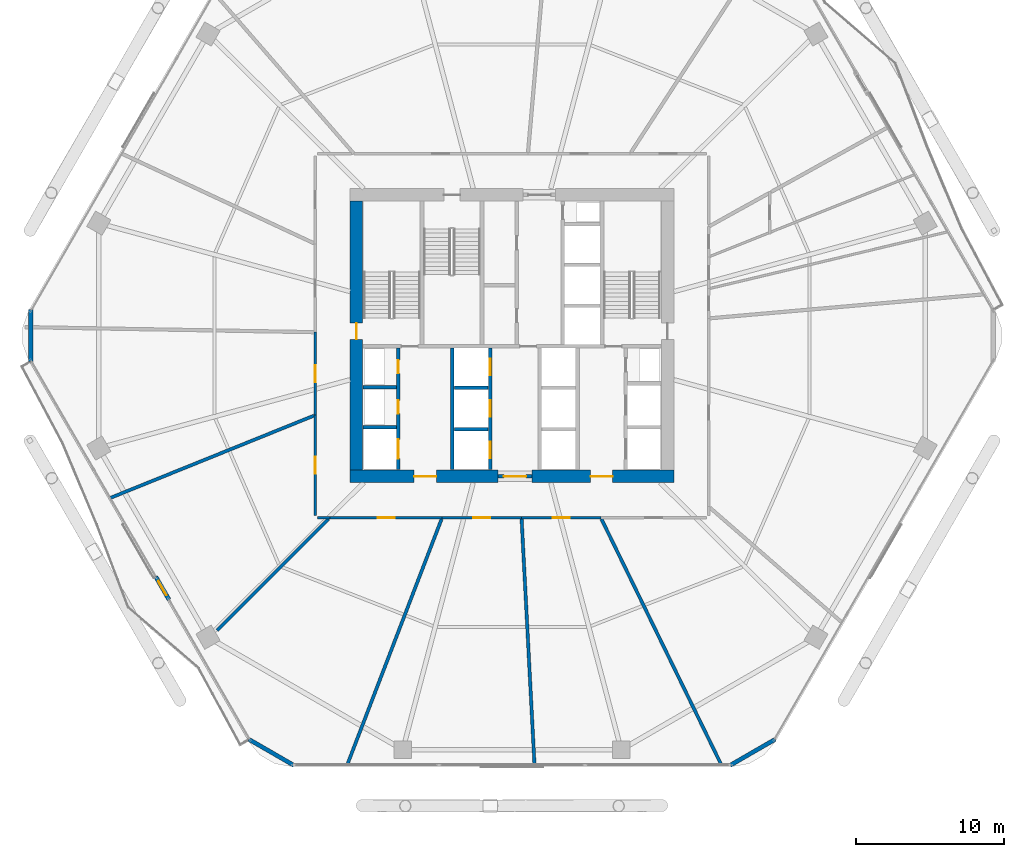
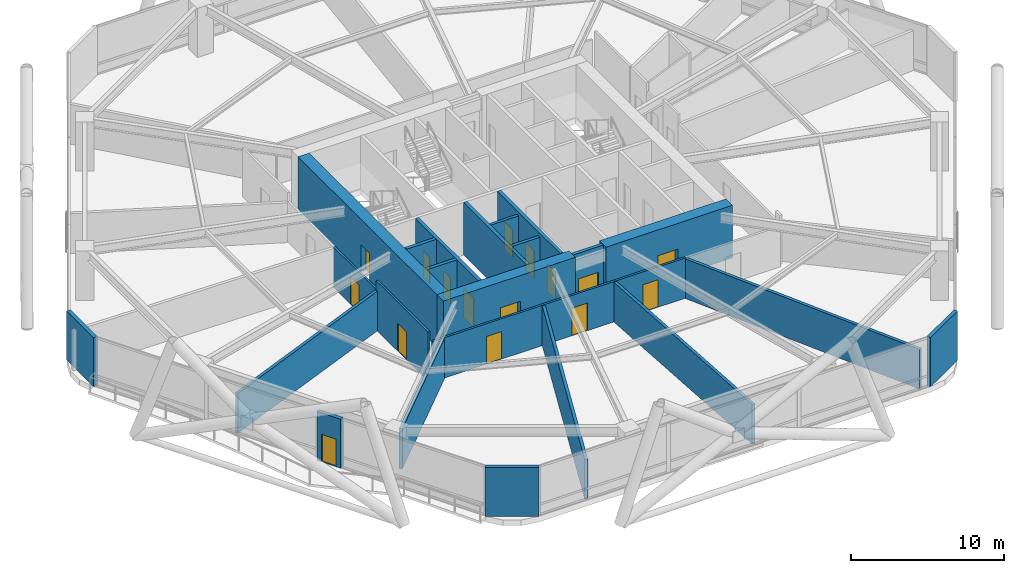
# One storey, part 25 of 31: 26 walls, 16 doors, 16 openings.
"""IFC4 building model written with IfcOpenShell, lengths in metres."""

from ifc_helpers import new_model, si_unit, direction, frame, frame_2d, origin, place, context, subcontext, project, spatial, rectangle, extrude, material, layer, layer_set, type_object, element, fill, save


model = new_model("IFC4")

# Units and contexts
model_context = context("Model", 3, precision=1e-05, world=origin(), true_north=direction((0.0, 1.0)))
body_context = subcontext(model_context, "Body", "Model", "MODEL_VIEW")
ifc_project = project(units=[si_unit("LENGTHUNIT", "METRE"), si_unit("AREAUNIT", "SQUARE_METRE"), si_unit("VOLUMEUNIT", "CUBIC_METRE"), si_unit("PLANEANGLEUNIT", "RADIAN"), si_unit("MASSUNIT", "GRAM", prefix="KILO")], contexts=[model_context])

# Site, building, storey
site_placement = place(None, origin())
site = spatial("IfcSite", under=ifc_project, at=site_placement, CompositionType="ELEMENT")
building_placement = place(site_placement, origin())
building = spatial("IfcBuilding", under=site, at=building_placement, Name="Zuhravey Tower", CompositionType="ELEMENT")
storey_placement = place(building_placement, frame((0.0, 0.0, 7.800048828125)))
storey = spatial("IfcBuildingStorey", under=building, at=storey_placement, Name="L02", CompositionType="ELEMENT", Elevation=7.800048828125)

# Wall, opening, door
ifc_material_1 = material(Name="Concrete C60/75", Category="concrete")
ifc_layer_1 = layer(ifc_material_1, 0.85009765625)
ifc_layer_set_1 = layer_set([ifc_layer_1], Name="Concrete C60/75")
wall_type_1 = type_object("IfcWallType", Name="Core Shear Wall 850", PredefinedType="SHEAR", material=ifc_layer_set_1)
wall_1_placement = place(storey_placement, frame((25.074951171875, 22.5, 0.0), z_axis=(0.0, 0.0, 1.0), x_axis=(1.0, 0.0, 0.0)))
wall_1 = element("IfcWall", 1, at=wall_1_placement, inside=storey, type_object=wall_type_1, Name="L02 South-West Core Shear Wall CW85", PredefinedType="SHEAR", context=body_context, shape_type="SweptSolid", body=[
    extrude(rectangle(XDim=9.97509765625, YDim=0.85009765625, at=frame_2d((4.987548828125, 0.0))), origin(), (0.0, 0.0, 1.0), 4.199951171875),
])
opening_1_placement = place(wall_1_placement, frame((4.324951171875, 0.0, 0.0)))
opening_1 = element("IfcOpeningElement", 2, at=opening_1_placement, cuts=wall_1, Name="Opening FFD1", PredefinedType="OPENING", context=body_context, shape_type="SweptSolid", body=[
    extrude(rectangle(XDim=1.5, YDim=2.14990234375, at=frame_2d((0.75, 1.074951171875))), frame((0.0, 0.43701171875, 0.0), z_axis=(0.0, -1.0, 0.0), x_axis=(1.0, 0.0, 0.0)), (0.0, 0.0, 1.0), 0.8740234375),
])
ifc_material_2 = material(Name="Galvanised fire-rated steel leaf", Category="steel")
door_type_1 = type_object("IfcDoorType", Name="Firefighting Lobby Double Door 1500x2150", OperationType="DOUBLE_DOOR_SINGLE_SWING", PredefinedType="DOOR", material=ifc_material_2)
door_1_placement = place(opening_1_placement, origin())
door_1 = element("IfcDoor", 3, at=door_1_placement, inside=storey, type_object=door_type_1, Name="L02 Firefighting Lobby West Door", OperationType="DOUBLE_DOOR_SINGLE_SWING", OverallHeight=2.14990234375, OverallWidth=1.5, PredefinedType="DOOR", context=body_context, shape_type="SweptSolid", body=[
    extrude(rectangle(XDim=1.5, YDim=2.14990234375, at=frame_2d((0.75, 1.074951171875))), frame((0.0, 0.02490234375, 0.0), z_axis=(0.0, -1.0, 0.0), x_axis=(1.0, 0.0, 0.0)), (0.0, 0.0, 1.0), 0.050048828125),
])
fill(opening_1, door_1)

wall_2_placement = place(storey_placement, frame((37.35009765625, 22.5, 0.0), z_axis=(0.0, 0.0, 1.0), x_axis=(1.0, 0.0, 0.0)))
wall_2 = element("IfcWall", 4, at=wall_2_placement, inside=storey, type_object=wall_type_1, Name="L02 South-East Core Shear Wall CW85", PredefinedType="SHEAR", context=body_context, shape_type="SweptSolid", body=[
    extrude(rectangle(XDim=9.574951171875, YDim=0.85009765625, at=frame_2d((4.78759765625, 0.0))), origin(), (0.0, 0.0, 1.0), 4.199951171875),
])
opening_2_placement = place(wall_2_placement, frame((3.949951171875, 0.0, 0.0)))
opening_2 = element("IfcOpeningElement", 5, at=opening_2_placement, cuts=wall_2, Name="Opening FFD1", PredefinedType="OPENING", context=body_context, shape_type="SweptSolid", body=[
    extrude(rectangle(XDim=1.5, YDim=2.14990234375, at=frame_2d((0.75, 1.074951171875))), frame((0.0, 0.43701171875, 0.0), z_axis=(0.0, -1.0, 0.0), x_axis=(1.0, 0.0, 0.0)), (0.0, 0.0, 1.0), 0.8740234375),
])
door_2_placement = place(opening_2_placement, origin())
door_2 = element("IfcDoor", 6, at=door_2_placement, inside=storey, type_object=door_type_1, Name="L02 Firefighting Lobby East Door", OperationType="DOUBLE_DOOR_SINGLE_SWING", OverallHeight=2.14990234375, OverallWidth=1.5, PredefinedType="DOOR", context=body_context, shape_type="SweptSolid", body=[
    extrude(rectangle(XDim=1.5, YDim=2.14990234375, at=frame_2d((0.75, 1.074951171875))), frame((0.0, 0.02490234375, 0.0), z_axis=(0.0, -1.0, 0.0), x_axis=(1.0, 0.0, 0.0)), (0.0, 0.0, 1.0), 0.050048828125),
])
fill(opening_2, door_2)

wall_3_placement = place(storey_placement, frame((25.5, 22.925048828125, 0.0), z_axis=(0.0, 0.0, 1.0), x_axis=(0.0, 1.0, 0.0)))
wall_3 = element("IfcWall", 7, at=wall_3_placement, inside=storey, type_object=wall_type_1, Name="L02 West Core Shear Wall CW85", PredefinedType="SHEAR", context=body_context, shape_type="SweptSolid", body=[
    extrude(rectangle(XDim=18.14990234375, YDim=0.85009765625, at=frame_2d((9.074951171875, 0.0))), origin(), (0.0, 0.0, 1.0), 4.199951171875),
])
opening_3_placement = place(wall_3_placement, frame((8.824951171875, 0.0, 0.0)))
opening_3 = element("IfcOpeningElement", 8, at=opening_3_placement, cuts=wall_3, Name="Opening STD1", PredefinedType="OPENING", context=body_context, shape_type="SweptSolid", body=[
    extrude(rectangle(XDim=1.10009765625, YDim=2.14990234375, at=frame_2d((0.550048828125, 1.074951171875))), frame((0.0, 0.43701171875, 0.0), z_axis=(0.0, -1.0, 0.0), x_axis=(1.0, 0.0, 0.0)), (0.0, 0.0, 1.0), 0.8740234375),
])
door_type_2 = type_object("IfcDoorType", Name="Protected Stair Fire Door 1100x2150", OperationType="NOTDEFINED", PredefinedType="USERDEFINED", material=ifc_material_2)
door_3_placement = place(opening_3_placement, frame((1.10009765625, 0.0, 0.0), z_axis=(0.0, 0.0, 1.0), x_axis=(-1.0, 0.0, 0.0)))
door_3 = element("IfcDoor", 9, at=door_3_placement, inside=storey, type_object=door_type_2, Name="L02 Stair ST1 Door", ObjectType="EXITDOOR", OperationType="SINGLE_SWING_RIGHT", OverallHeight=2.14990234375, OverallWidth=1.10009765625, PredefinedType="USERDEFINED", context=body_context, shape_type="SweptSolid", body=[
    extrude(rectangle(XDim=1.10009765625, YDim=2.14990234375, at=frame_2d((0.550048828125, 1.074951171875))), frame((0.0, 0.02490234375, 0.0), z_axis=(0.0, -1.0, 0.0), x_axis=(1.0, 0.0, 0.0)), (0.0, 0.0, 1.0), 0.050048828125),
])
fill(opening_3, door_3)

ifc_material_3 = material(Name="Gypsum fire-rated stud partition")
ifc_layer_2 = layer(ifc_material_3, 0.159912109375)
ifc_layer_set_2 = layer_set([ifc_layer_2], Name="Gypsum fire-rated stud partition")
wall_type_2 = type_object("IfcWallType", Name="Corridor Fire Partition 160", PredefinedType="PARTITIONING", material=ifc_layer_set_2)
wall_4_placement = place(storey_placement, frame((22.715087890625, 32.23193359375, 0.0), z_axis=(0.0, 0.0, 1.0), x_axis=(0.0, -1.0, 0.0)))
wall_4 = element("IfcWall", 10, at=wall_4_placement, inside=storey, type_object=wall_type_2, Name="L02 IW16 Partition 028", PredefinedType="PARTITIONING", context=body_context, shape_type="SweptSolid", body=[
    extrude(rectangle(XDim=5.599365234375, YDim=0.159912109375, at=frame_2d((2.7998046875, 0.0))), origin(), (0.0, 0.0, 1.0), 3.219970703125),
])
opening_4_placement = place(wall_4_placement, frame((2.224609375, 0.0, 0.0)))
opening_4 = element("IfcOpeningElement", 11, at=opening_4_placement, cuts=wall_4, Name="Opening CLD1", PredefinedType="OPENING", context=body_context, shape_type="SweptSolid", body=[
    extrude(rectangle(XDim=1.14990234375, YDim=2.199951171875, at=frame_2d((0.574951171875, 1.10009765625))), frame((0.0, 0.092041015625, 0.0), z_axis=(0.0, -1.0, 0.0), x_axis=(1.0, 0.0, 0.0)), (0.0, 0.0, 1.0), 0.183837890625),
])
ifc_material_4 = material(Name="Acoustic timber leaf with vision lite", Category="wood")
door_type_3 = type_object("IfcDoorType", Name="Classroom Acoustic Door 1150x2200", OperationType="NOTDEFINED", PredefinedType="DOOR", material=ifc_material_4)
door_4_placement = place(opening_4_placement, frame((1.14990234375, 0.0, 0.0), z_axis=(0.0, 0.0, 1.0), x_axis=(-1.0, 0.0, 0.0)))
door_4 = element("IfcDoor", 12, at=door_4_placement, inside=storey, type_object=door_type_3, Name="L02 Door 028.1", OperationType="SINGLE_SWING_LEFT", OverallHeight=2.199951171875, OverallWidth=1.14990234375, PredefinedType="DOOR", context=body_context, shape_type="SweptSolid", body=[
    extrude(rectangle(XDim=1.14990234375, YDim=2.199951171875, at=frame_2d((0.574951171875, 1.10009765625))), frame((0.0, 0.02490234375, 0.0), z_axis=(0.0, -1.0, 0.0), x_axis=(1.0, 0.0, 0.0)), (0.0, 0.0, 1.0), 0.050048828125),
])
fill(opening_4, door_4)

wall_5_placement = place(storey_placement, frame((22.715087890625, 26.632568359375, 0.0), z_axis=(0.0, 0.0, 1.0), x_axis=(0.0, -1.0, 0.0)))
wall_5 = element("IfcWall", 13, at=wall_5_placement, inside=storey, type_object=wall_type_2, Name="L02 IW16 Partition 029", PredefinedType="PARTITIONING", context=body_context, shape_type="SweptSolid", body=[
    extrude(rectangle(XDim=6.757568359375, YDim=0.159912109375, at=frame_2d((3.37890625, 0.0))), origin(), (0.0, 0.0, 1.0), 3.919921875),
])
opening_5_placement = place(wall_5_placement, frame((2.8037109375, 0.0, 0.0)))
opening_5 = element("IfcOpeningElement", 14, at=opening_5_placement, cuts=wall_5, Name="Opening CLD1", PredefinedType="OPENING", context=body_context, shape_type="SweptSolid", body=[
    extrude(rectangle(XDim=1.14990234375, YDim=2.199951171875, at=frame_2d((0.574951171875, 1.10009765625))), frame((0.0, 0.092041015625, 0.0), z_axis=(0.0, -1.0, 0.0), x_axis=(1.0, 0.0, 0.0)), (0.0, 0.0, 1.0), 0.183837890625),
])
door_5_placement = place(opening_5_placement, frame((1.14990234375, 0.0, 0.0), z_axis=(0.0, 0.0, 1.0), x_axis=(-1.0, 0.0, 0.0)))
door_5 = element("IfcDoor", 15, at=door_5_placement, inside=storey, type_object=door_type_3, Name="L02 Door 029.1", OperationType="SINGLE_SWING_RIGHT", OverallHeight=2.199951171875, OverallWidth=1.14990234375, PredefinedType="DOOR", context=body_context, shape_type="SweptSolid", body=[
    extrude(rectangle(XDim=1.14990234375, YDim=2.199951171875, at=frame_2d((0.574951171875, 1.10009765625))), frame((0.0, 0.02490234375, 0.0), z_axis=(0.0, -1.0, 0.0), x_axis=(1.0, 0.0, 0.0)), (0.0, 0.0, 1.0), 0.050048828125),
])
fill(opening_5, door_5)

wall_6_placement = place(storey_placement, frame((23.715087890625, 19.715087890625, 0.0), z_axis=(0.0, 0.0, 1.0), x_axis=(1.0, 0.0, 0.0)))
wall_6 = element("IfcWall", 16, at=wall_6_placement, inside=storey, type_object=wall_type_2, Name="L02 IW16 Partition 030", PredefinedType="PARTITIONING", context=body_context, shape_type="SweptSolid", body=[
    extrude(rectangle(XDim=7.569091796875, YDim=0.159912109375, at=frame_2d((3.78466796875, 0.0))), origin(), (0.0, 0.0, 1.0), 3.219970703125),
])
opening_6_placement = place(wall_6_placement, frame((3.209716796875, 0.0, 0.0)))
opening_6 = element("IfcOpeningElement", 17, at=opening_6_placement, cuts=wall_6, Name="Opening CLD1", PredefinedType="OPENING", context=body_context, shape_type="SweptSolid", body=[
    extrude(rectangle(XDim=1.14990234375, YDim=2.199951171875, at=frame_2d((0.574951171875, 1.10009765625))), frame((0.0, 0.092041015625, 0.0), z_axis=(0.0, -1.0, 0.0), x_axis=(1.0, 0.0, 0.0)), (0.0, 0.0, 1.0), 0.183837890625),
])
door_6_placement = place(opening_6_placement, frame((1.14990234375, 0.0, 0.0), z_axis=(0.0, 0.0, 1.0), x_axis=(-1.0, 0.0, 0.0)))
door_6 = element("IfcDoor", 18, at=door_6_placement, inside=storey, type_object=door_type_3, Name="L02 Door 030.1", OperationType="SINGLE_SWING_LEFT", OverallHeight=2.199951171875, OverallWidth=1.14990234375, PredefinedType="DOOR", context=body_context, shape_type="SweptSolid", body=[
    extrude(rectangle(XDim=1.14990234375, YDim=2.199951171875, at=frame_2d((0.574951171875, 1.10009765625))), frame((0.0, 0.02490234375, 0.0), z_axis=(0.0, -1.0, 0.0), x_axis=(1.0, 0.0, 0.0)), (0.0, 0.0, 1.0), 0.050048828125),
])
fill(opening_6, door_6)

wall_7_placement = place(storey_placement, frame((31.2841796875, 19.715087890625, 0.0), z_axis=(0.0, 0.0, 1.0), x_axis=(1.0, 0.0, 0.0)))
wall_7 = element("IfcWall", 19, at=wall_7_placement, inside=storey, type_object=wall_type_2, Name="L02 IW16 Partition 031", PredefinedType="PARTITIONING", context=body_context, shape_type="SweptSolid", body=[
    extrude(rectangle(XDim=5.359619140625, YDim=0.159912109375, at=frame_2d((2.6796875, 0.0))), origin(), (0.0, 0.0, 1.0), 3.219970703125),
])
opening_7_placement = place(wall_7_placement, frame((2.104736328125, 0.0, 0.0)))
opening_7 = element("IfcOpeningElement", 20, at=opening_7_placement, cuts=wall_7, Name="Opening CLD1", PredefinedType="OPENING", context=body_context, shape_type="SweptSolid", body=[
    extrude(rectangle(XDim=1.14990234375, YDim=2.199951171875, at=frame_2d((0.574951171875, 1.10009765625))), frame((0.0, 0.092041015625, 0.0), z_axis=(0.0, -1.0, 0.0), x_axis=(1.0, 0.0, 0.0)), (0.0, 0.0, 1.0), 0.183837890625),
])
door_7_placement = place(opening_7_placement, frame((1.14990234375, 0.0, 0.0), z_axis=(0.0, 0.0, 1.0), x_axis=(-1.0, 0.0, 0.0)))
door_7 = element("IfcDoor", 21, at=door_7_placement, inside=storey, type_object=door_type_3, Name="L02 Door 031.1", OperationType="SINGLE_SWING_RIGHT", OverallHeight=2.199951171875, OverallWidth=1.14990234375, PredefinedType="DOOR", context=body_context, shape_type="SweptSolid", body=[
    extrude(rectangle(XDim=1.14990234375, YDim=2.199951171875, at=frame_2d((0.574951171875, 1.10009765625))), frame((0.0, 0.02490234375, 0.0), z_axis=(0.0, -1.0, 0.0), x_axis=(1.0, 0.0, 0.0)), (0.0, 0.0, 1.0), 0.050048828125),
])
fill(opening_7, door_7)

wall_8_placement = place(storey_placement, frame((36.643798828125, 19.715087890625, 0.0), z_axis=(0.0, 0.0, 1.0), x_axis=(1.0, 0.0, 0.0)))
wall_8 = element("IfcWall", 22, at=wall_8_placement, inside=storey, type_object=wall_type_2, Name="L02 IW16 Partition 032", PredefinedType="PARTITIONING", context=body_context, shape_type="SweptSolid", body=[
    extrude(rectangle(XDim=5.347900390625, YDim=0.159912109375, at=frame_2d((2.673828125, 0.0))), origin(), (0.0, 0.0, 1.0), 3.219970703125),
])
opening_8_placement = place(wall_8_placement, frame((2.09912109375, 0.0, 0.0)))
opening_8 = element("IfcOpeningElement", 23, at=opening_8_placement, cuts=wall_8, Name="Opening CLD1", PredefinedType="OPENING", context=body_context, shape_type="SweptSolid", body=[
    extrude(rectangle(XDim=1.14990234375, YDim=2.199951171875, at=frame_2d((0.574951171875, 1.10009765625))), frame((0.0, 0.092041015625, 0.0), z_axis=(0.0, -1.0, 0.0), x_axis=(1.0, 0.0, 0.0)), (0.0, 0.0, 1.0), 0.183837890625),
])
door_8_placement = place(opening_8_placement, frame((1.14990234375, 0.0, 0.0), z_axis=(0.0, 0.0, 1.0), x_axis=(-1.0, 0.0, 0.0)))
door_8 = element("IfcDoor", 24, at=door_8_placement, inside=storey, type_object=door_type_3, Name="L02 Door 032.1", OperationType="SINGLE_SWING_LEFT", OverallHeight=2.199951171875, OverallWidth=1.14990234375, PredefinedType="DOOR", context=body_context, shape_type="SweptSolid", body=[
    extrude(rectangle(XDim=1.14990234375, YDim=2.199951171875, at=frame_2d((0.574951171875, 1.10009765625))), frame((0.0, 0.02490234375, 0.0), z_axis=(0.0, -1.0, 0.0), x_axis=(1.0, 0.0, 0.0)), (0.0, 0.0, 1.0), 0.050048828125),
])
fill(opening_8, door_8)

# Walls
wall_9_placement = place(storey_placement, frame((22.875, 19.715087890625, 0.0), z_axis=(0.0, 0.0, 1.0), x_axis=(1.0, 0.0, 0.0)))
element("IfcWall", 25, at=wall_9_placement, inside=storey, type_object=wall_type_2, Name="L02 IW16 Partition 057", PredefinedType="PARTITIONING", context=body_context, shape_type="SweptSolid", body=[
    extrude(rectangle(XDim=0.840087890625, YDim=0.159912109375, at=frame_2d((0.419921875, 0.0))), origin(), (0.0, 0.0, 1.0), 3.219970703125),
])
ifc_material_5 = material(Name="Precast concrete C40/50", Category="concrete")
ifc_layer_3 = layer(ifc_material_5, 0.280029296875)
ifc_layer_set_3 = layer_set([ifc_layer_3], Name="Precast concrete C40/50")
wall_type_3 = type_object("IfcWallType", Name="Crown Architectural Wall 280", PredefinedType="SOLIDWALL", material=ifc_layer_set_3)
for number, where, z_axis, x_axis, name in (
    (26, (53.76123046875, 4.75146484375, 0.0), (0.0, 0.0, 1.0), (-0.866007452331, -0.500031091541, 0.0), "L02 Rounded Corner Closure Wall EW28-02"),
    (27, (21.28271484375, 2.993896484375, 0.0), (0.0, 0.0, 1.0), (-0.866007452331, 0.500031091541, 0.0), "L02 Rounded Corner Closure Wall EW28-04"),
):
    element("IfcWall", number, at=place(storey_placement, frame(where, z_axis=z_axis, x_axis=x_axis)), inside=storey, type_object=wall_type_3, Name=name, PredefinedType="SOLIDWALL", context=body_context, shape_type="SweptSolid", body=[
        extrude(rectangle(XDim=3.514892578125, YDim=0.280029296875, at=frame_2d((1.75732421875, 0.0))), origin(), (0.0, 0.0, 1.0), 3.919921875),
    ])

# Wall, opening, door
wall_10_placement = place(storey_placement, frame((12.8515625, 14.17724609375, 0.0), z_axis=(0.0, 0.0, 1.0), x_axis=(-0.499982180423, 0.866035691677, 0.0)))
wall_10 = element("IfcWall", 28, at=wall_10_placement, inside=storey, type_object=wall_type_3, Name="L02 Face 4 Facade Pier EW28-1", PredefinedType="SOLIDWALL", context=body_context, shape_type="SweptSolid", body=[
    extrude(rectangle(XDim=1.7900390625, YDim=0.280029296875, at=frame_2d((0.89501953125, 0.0))), origin(), (0.0, 0.0, 1.0), 3.919921875),
])
opening_9_placement = place(wall_10_placement, frame((0.344970703125, 0.0, 0.0)))
opening_9 = element("IfcOpeningElement", 29, at=opening_9_placement, cuts=wall_10, Name="Opening BLD1", PredefinedType="OPENING", context=body_context, shape_type="SweptSolid", body=[
    extrude(rectangle(XDim=1.10009765625, YDim=2.199951171875, at=frame_2d((0.550048828125, 1.10009765625))), frame((0.0, 0.152099609375, 0.0), z_axis=(0.0, -1.0, 0.0), x_axis=(1.0, 0.0, 0.0)), (0.0, 0.0, 1.0), 0.303955078125),
])
ifc_material_6 = material(Name="Thermally broken aluminium and low-E glass", Category="aluminium")
door_type_4 = type_object("IfcDoorType", Name="Balcony & Sky-Tray Glazed Door 1100x2200", OperationType="NOTDEFINED", PredefinedType="DOOR", material=ifc_material_6)
door_9_placement = place(opening_9_placement, frame((1.10009765625, 0.0, 0.0), z_axis=(0.0, 0.0, 1.0), x_axis=(-1.0, 0.0, 0.0)))
door_9 = element("IfcDoor", 30, at=door_9_placement, inside=storey, type_object=door_type_4, Name="L02 Face 4 School Wave Terrace Door", OperationType="SINGLE_SWING_RIGHT", OverallHeight=2.199951171875, OverallWidth=1.10009765625, PredefinedType="DOOR", context=body_context, shape_type="SweptSolid", body=[
    extrude(rectangle(XDim=1.10009765625, YDim=2.199951171875, at=frame_2d((0.550048828125, 1.10009765625))), frame((0.0, 0.02490234375, 0.0), z_axis=(0.0, -1.0, 0.0), x_axis=(1.0, 0.0, 0.0)), (0.0, 0.0, 1.0), 0.050048828125),
])
fill(opening_9, door_9)

# Wall
wall_11_placement = place(storey_placement, frame((3.521484375, 30.242431640625, 0.0), z_axis=(0.0, 0.0, 1.0), x_axis=(0.0, 1.0, 0.0)))
element("IfcWall", 31, at=wall_11_placement, inside=storey, type_object=wall_type_3, Name="L02 Rounded Corner Closure Wall EW28-06", PredefinedType="SOLIDWALL", context=body_context, shape_type="SweptSolid", body=[
    extrude(rectangle(XDim=3.51513671875, YDim=0.280029296875, at=frame_2d((1.757568359375, 0.0))), origin(), (0.0, 0.0, 1.0), 3.919921875),
])

# Wall, opening, door
ifc_material_7 = material(Name="Concrete C50/60", Category="concrete")
ifc_layer_4 = layer(ifc_material_7, 0.25)
ifc_layer_set_4 = layer_set([ifc_layer_4], Name="Concrete C50/60")
wall_type_4 = type_object("IfcWallType", Name="Firefighting Shaft & Stair Wall 250", PredefinedType="SOLIDWALL", material=ifc_layer_set_4)
wall_12_placement = place(storey_placement, frame((35.06005859375, 22.5, 0.0), z_axis=(0.0, 0.0, 1.0), x_axis=(1.0, 0.0, 0.0)))
wall_12 = element("IfcWall", 32, at=wall_12_placement, inside=storey, type_object=wall_type_4, Name="L02 FW25 Shaft Wall 001", PredefinedType="SOLIDWALL", context=body_context, shape_type="SweptSolid", body=[
    extrude(rectangle(XDim=2.280029296875, YDim=0.25, at=frame_2d((1.14013671875, 0.0))), origin(), (0.0, 0.0, 1.0), 4.199951171875),
])
opening_10_placement = place(wall_12_placement, frame((0.389892578125, 0.0, 0.0)))
opening_10 = element("IfcOpeningElement", 33, at=opening_10_placement, cuts=wall_12, Name="Opening FFD1", PredefinedType="OPENING", context=body_context, shape_type="SweptSolid", body=[
    extrude(rectangle(XDim=1.5, YDim=2.14990234375, at=frame_2d((0.75, 1.074951171875))), frame((0.0, 0.136962890625, 0.0), z_axis=(0.0, -1.0, 0.0), x_axis=(1.0, 0.0, 0.0)), (0.0, 0.0, 1.0), 0.27392578125),
])
door_10_placement = place(opening_10_placement, frame((1.5, 0.0, 0.0), z_axis=(0.0, 0.0, 1.0), x_axis=(-1.0, 0.0, 0.0)))
door_10 = element("IfcDoor", 34, at=door_10_placement, inside=storey, type_object=door_type_1, Name="L02 South Lift Lobby Exit Door", OperationType="DOUBLE_DOOR_SINGLE_SWING", OverallHeight=2.14990234375, OverallWidth=1.5, PredefinedType="DOOR", context=body_context, shape_type="SweptSolid", body=[
    extrude(rectangle(XDim=1.5, YDim=2.14990234375, at=frame_2d((0.75, 1.074951171875))), frame((0.0, 0.02490234375, 0.0), z_axis=(0.0, -1.0, 0.0), x_axis=(1.0, 0.0, 0.0)), (0.0, 0.0, 1.0), 0.050048828125),
])
fill(opening_10, door_10)

# Walls
for number, where, z_axis, x_axis, name in (
    (35, (25.949951171875, 25.824951171875, 0.0), (0.0, 0.0, 1.0), (1.0, 0.0, 0.0), "L02 FW25 Shaft Wall 009"),
    (36, (25.949951171875, 28.52490234375, 0.0), (0.0, 0.0, 1.0), (1.0, 0.0, 0.0), "L02 FW25 Shaft Wall 010"),
):
    element("IfcWall", number, at=place(storey_placement, frame(where, z_axis=z_axis, x_axis=x_axis)), inside=storey, type_object=wall_type_4, Name=name, PredefinedType="SOLIDWALL", context=body_context, shape_type="SweptSolid", body=[
        extrude(rectangle(XDim=2.25, YDim=0.25, at=frame_2d((1.125, 0.0))), origin(), (0.0, 0.0, 1.0), 4.199951171875),
    ])

# Wall, openings, doors
wall_13_placement = place(storey_placement, frame((28.324951171875, 22.949951171875, 0.0), z_axis=(0.0, 0.0, 1.0), x_axis=(0.0, 1.0, 0.0)))
wall_13 = element("IfcWall", 37, at=wall_13_placement, inside=storey, type_object=wall_type_4, Name="L02 FW25 Shaft Wall 011", PredefinedType="SOLIDWALL", context=body_context, shape_type="SweptSolid", body=[
    extrude(rectangle(XDim=8.199951171875, YDim=0.25, at=frame_2d((4.10009765625, 0.0))), origin(), (0.0, 0.0, 1.0), 4.199951171875),
])
opening_11_placement = place(wall_13_placement, frame((0.75, 0.0, 0.0)))
opening_11 = element("IfcOpeningElement", 38, at=opening_11_placement, cuts=wall_13, Name="Opening LD2", PredefinedType="OPENING", context=body_context, shape_type="SweptSolid", body=[
    extrude(rectangle(XDim=1.300048828125, YDim=2.300048828125, at=frame_2d((0.64990234375, 1.14990234375))), frame((0.0, 0.136962890625, 0.0), z_axis=(0.0, -1.0, 0.0), x_axis=(1.0, 0.0, 0.0)), (0.0, 0.0, 1.0), 0.27392578125),
])
opening_12_placement = place(wall_13_placement, frame((3.780029296875, 0.0, 0.0)))
opening_12 = element("IfcOpeningElement", 39, at=opening_12_placement, cuts=wall_13, Name="Opening RSD1", PredefinedType="OPENING", context=body_context, shape_type="SweptSolid", body=[
    extrude(rectangle(XDim=0.89990234375, YDim=2.10009765625, at=frame_2d((0.449951171875, 1.050048828125))), frame((0.0, 0.136962890625, 0.0), z_axis=(0.0, -1.0, 0.0), x_axis=(1.0, 0.0, 0.0)), (0.0, 0.0, 1.0), 0.27392578125),
])
opening_13_placement = place(wall_13_placement, frame((6.5, 0.0, 0.0)))
opening_13 = element("IfcOpeningElement", 40, at=opening_13_placement, cuts=wall_13, Name="Opening RSD1", PredefinedType="OPENING", context=body_context, shape_type="SweptSolid", body=[
    extrude(rectangle(XDim=0.89990234375, YDim=2.10009765625, at=frame_2d((0.449951171875, 1.050048828125))), frame((0.0, 0.136962890625, 0.0), z_axis=(0.0, -1.0, 0.0), x_axis=(1.0, 0.0, 0.0)), (0.0, 0.0, 1.0), 0.27392578125),
])
ifc_material_8 = material(Name="Brushed stainless steel", Category="steel")
door_type_5 = type_object("IfcDoorType", Name="Freight & Stretcher Lift Sliding Door 1300x2300", OperationType="DOUBLE_DOOR_SLIDING", PredefinedType="DOOR", material=ifc_material_8)
door_11_placement = place(opening_11_placement, frame((1.300048828125, 0.0, 0.0), z_axis=(0.0, 0.0, 1.0), x_axis=(-1.0, 0.0, 0.0)))
door_11 = element("IfcDoor", 41, at=door_11_placement, inside=storey, type_object=door_type_5, Name="L02 Lift FF1 Landing Door", OperationType="DOUBLE_DOOR_SLIDING", OverallHeight=2.300048828125, OverallWidth=1.300048828125, PredefinedType="DOOR", context=body_context, shape_type="SweptSolid", body=[
    extrude(rectangle(XDim=1.300048828125, YDim=2.300048828125, at=frame_2d((0.64990234375, 1.14990234375))), frame((0.0, 0.02490234375, 0.0), z_axis=(0.0, -1.0, 0.0), x_axis=(1.0, 0.0, 0.0)), (0.0, 0.0, 1.0), 0.050048828125),
])
fill(opening_11, door_11)
ifc_material_9 = material(Name="Galvanised fire-rated steel access leaf", Category="steel")
door_type_6 = type_object("IfcDoorType", Name="Riser & Shaft Access Fire Door 900x2100", OperationType="NOTDEFINED", PredefinedType="DOOR", material=ifc_material_9)
door_12_placement = place(opening_12_placement, frame((0.89990234375, 0.0, 0.0), z_axis=(0.0, 0.0, 1.0), x_axis=(-1.0, 0.0, 0.0)))
door_12 = element("IfcDoor", 42, at=door_12_placement, inside=storey, type_object=door_type_6, Name="L02 Electrical Riser Door", OperationType="SINGLE_SWING_LEFT", OverallHeight=2.10009765625, OverallWidth=0.89990234375, PredefinedType="DOOR", context=body_context, shape_type="SweptSolid", body=[
    extrude(rectangle(XDim=0.89990234375, YDim=2.10009765625, at=frame_2d((0.449951171875, 1.050048828125))), frame((0.0, 0.02490234375, 0.0), z_axis=(0.0, -1.0, 0.0), x_axis=(1.0, 0.0, 0.0)), (0.0, 0.0, 1.0), 0.050048828125),
])
fill(opening_12, door_12)
door_13_placement = place(opening_13_placement, frame((0.89990234375, 0.0, 0.0), z_axis=(0.0, 0.0, 1.0), x_axis=(-1.0, 0.0, 0.0)))
door_13 = element("IfcDoor", 43, at=door_13_placement, inside=storey, type_object=door_type_6, Name="L02 Smoke Shaft Access Door", OperationType="SINGLE_SWING_RIGHT", OverallHeight=2.10009765625, OverallWidth=0.89990234375, PredefinedType="DOOR", context=body_context, shape_type="SweptSolid", body=[
    extrude(rectangle(XDim=0.89990234375, YDim=2.10009765625, at=frame_2d((0.449951171875, 1.050048828125))), frame((0.0, 0.02490234375, 0.0), z_axis=(0.0, -1.0, 0.0), x_axis=(1.0, 0.0, 0.0)), (0.0, 0.0, 1.0), 0.050048828125),
])
fill(opening_13, door_13)

# Wall
wall_14_placement = place(storey_placement, frame((31.97509765625, 22.949951171875, 0.0), z_axis=(0.0, 0.0, 1.0), x_axis=(0.0, 1.0, 0.0)))
element("IfcWall", 44, at=wall_14_placement, inside=storey, type_object=wall_type_4, Name="L02 FW25 Shaft Wall 012", PredefinedType="SOLIDWALL", context=body_context, shape_type="SweptSolid", body=[
    extrude(rectangle(XDim=8.199951171875, YDim=0.25, at=frame_2d((4.10009765625, 0.0))), origin(), (0.0, 0.0, 1.0), 4.199951171875),
])

# Wall, openings, doors
wall_15_placement = place(storey_placement, frame((34.52490234375, 22.949951171875, 0.0), z_axis=(0.0, 0.0, 1.0), x_axis=(0.0, 1.0, 0.0)))
wall_15 = element("IfcWall", 45, at=wall_15_placement, inside=storey, type_object=wall_type_4, Name="L02 FW25 Shaft Wall 013", PredefinedType="SOLIDWALL", context=body_context, shape_type="SweptSolid", body=[
    extrude(rectangle(XDim=8.199951171875, YDim=0.25, at=frame_2d((4.10009765625, 0.0))), origin(), (0.0, 0.0, 1.0), 4.199951171875),
])
opening_14_placement = place(wall_15_placement, frame((0.77490234375, 0.0, 0.0)))
opening_14 = element("IfcOpeningElement", 46, at=opening_14_placement, cuts=wall_15, Name="Opening LD1", PredefinedType="OPENING", context=body_context, shape_type="SweptSolid", body=[
    extrude(rectangle(XDim=1.10009765625, YDim=2.199951171875, at=frame_2d((0.550048828125, 1.10009765625))), frame((0.0, 0.136962890625, 0.0), z_axis=(0.0, -1.0, 0.0), x_axis=(1.0, 0.0, 0.0)), (0.0, 0.0, 1.0), 0.27392578125),
])
opening_15_placement = place(wall_15_placement, frame((3.574951171875, 0.0, 0.0)))
opening_15 = element("IfcOpeningElement", 47, at=opening_15_placement, cuts=wall_15, Name="Opening LD1", PredefinedType="OPENING", context=body_context, shape_type="SweptSolid", body=[
    extrude(rectangle(XDim=1.10009765625, YDim=2.199951171875, at=frame_2d((0.550048828125, 1.10009765625))), frame((0.0, 0.136962890625, 0.0), z_axis=(0.0, -1.0, 0.0), x_axis=(1.0, 0.0, 0.0)), (0.0, 0.0, 1.0), 0.27392578125),
])
opening_16_placement = place(wall_15_placement, frame((6.375, 0.0, 0.0)))
opening_16 = element("IfcOpeningElement", 48, at=opening_16_placement, cuts=wall_15, Name="Opening LD1", PredefinedType="OPENING", context=body_context, shape_type="SweptSolid", body=[
    extrude(rectangle(XDim=1.10009765625, YDim=2.199951171875, at=frame_2d((0.550048828125, 1.10009765625))), frame((0.0, 0.136962890625, 0.0), z_axis=(0.0, -1.0, 0.0), x_axis=(1.0, 0.0, 0.0)), (0.0, 0.0, 1.0), 0.27392578125),
])
door_type_7 = type_object("IfcDoorType", Name="Lift Landing Sliding Door 1100x2200", OperationType="DOUBLE_DOOR_SLIDING", PredefinedType="DOOR", material=ifc_material_8)
door_14_placement = place(opening_14_placement, frame((1.10009765625, 0.0, 0.0), z_axis=(0.0, 0.0, 1.0), x_axis=(-1.0, 0.0, 0.0)))
door_14 = element("IfcDoor", 49, at=door_14_placement, inside=storey, type_object=door_type_7, Name="L02 Lift PL1 Landing Door", OperationType="DOUBLE_DOOR_SLIDING", OverallHeight=2.199951171875, OverallWidth=1.10009765625, PredefinedType="DOOR", context=body_context, shape_type="SweptSolid", body=[
    extrude(rectangle(XDim=1.10009765625, YDim=2.199951171875, at=frame_2d((0.550048828125, 1.10009765625))), frame((0.0, 0.02490234375, 0.0), z_axis=(0.0, -1.0, 0.0), x_axis=(1.0, 0.0, 0.0)), (0.0, 0.0, 1.0), 0.050048828125),
])
fill(opening_14, door_14)
door_15_placement = place(opening_15_placement, frame((1.10009765625, 0.0, 0.0), z_axis=(0.0, 0.0, 1.0), x_axis=(-1.0, 0.0, 0.0)))
door_15 = element("IfcDoor", 50, at=door_15_placement, inside=storey, type_object=door_type_7, Name="L02 Lift PL2 Landing Door", OperationType="DOUBLE_DOOR_SLIDING", OverallHeight=2.199951171875, OverallWidth=1.10009765625, PredefinedType="DOOR", context=body_context, shape_type="SweptSolid", body=[
    extrude(rectangle(XDim=1.10009765625, YDim=2.199951171875, at=frame_2d((0.550048828125, 1.10009765625))), frame((0.0, 0.02490234375, 0.0), z_axis=(0.0, -1.0, 0.0), x_axis=(1.0, 0.0, 0.0)), (0.0, 0.0, 1.0), 0.050048828125),
])
fill(opening_15, door_15)
door_16_placement = place(opening_16_placement, frame((1.10009765625, 0.0, 0.0), z_axis=(0.0, 0.0, 1.0), x_axis=(-1.0, 0.0, 0.0)))
door_16 = element("IfcDoor", 51, at=door_16_placement, inside=storey, type_object=door_type_7, Name="L02 Lift PL3 Landing Door", OperationType="DOUBLE_DOOR_SLIDING", OverallHeight=2.199951171875, OverallWidth=1.10009765625, PredefinedType="DOOR", context=body_context, shape_type="SweptSolid", body=[
    extrude(rectangle(XDim=1.10009765625, YDim=2.199951171875, at=frame_2d((0.550048828125, 1.10009765625))), frame((0.0, 0.02490234375, 0.0), z_axis=(0.0, -1.0, 0.0), x_axis=(1.0, 0.0, 0.0)), (0.0, 0.0, 1.0), 0.050048828125),
])
fill(opening_16, door_16)

# Walls
ifc_material_10 = material(Name="Gypsum acoustic stud assembly")
ifc_layer_5 = layer(ifc_material_10, 0.219970703125)
ifc_layer_set_5 = layer_set([ifc_layer_5], Name="Gypsum acoustic stud assembly")
wall_type_5 = type_object("IfcWallType", Name="School Acoustic Compartment Wall 220", PredefinedType="PARTITIONING", material=ifc_layer_set_5)
for number, where, z_axis, x_axis, name in (
    (52, (32.10791015625, 25.675048828125, 0.0), (0.0, 0.0, 1.0), (1.0, 0.0, 0.0), "L02 IW22 Partition 039"),
    (53, (32.10791015625, 28.47509765625, 0.0), (0.0, 0.0, 1.0), (1.0, 0.0, 0.0), "L02 IW22 Partition 040"),
):
    element("IfcWall", number, at=place(storey_placement, frame(where, z_axis=z_axis, x_axis=x_axis)), inside=storey, type_object=wall_type_5, Name=name, PredefinedType="PARTITIONING", context=body_context, shape_type="SweptSolid", body=[
        extrude(rectangle(XDim=2.2841796875, YDim=0.219970703125, at=frame_2d((1.14208984375, 0.0))), origin(), (0.0, 0.0, 1.0), 3.919921875),
    ])
wall_16_placement = place(storey_placement, frame((22.626953125, 26.596923828125, 0.0), z_axis=(0.0, 0.0, 1.0), x_axis=(-0.927186166431, -0.3746008713, 0.0)))
element("IfcWall", 54, at=wall_16_placement, inside=storey, type_object=wall_type_5, Name="L02 IW22 Partition 056", PredefinedType="PARTITIONING", context=body_context, shape_type="SweptSolid", body=[
    extrude(rectangle(XDim=14.81982421875, YDim=0.219970703125, at=frame_2d((7.409912109375, 0.0))), origin(), (0.0, 0.0, 1.0), 3.169921875),
])
wall_17_placement = place(storey_placement, frame((23.626953125, 19.626953125, 0.0), z_axis=(0.0, 0.0, 1.0), x_axis=(-0.707106781187, -0.707106781187, 0.0)))
element("IfcWall", 55, at=wall_17_placement, inside=storey, type_object=wall_type_5, Name="L02 IW22 Partition 058", PredefinedType="PARTITIONING", context=body_context, shape_type="SweptSolid", body=[
    extrude(rectangle(XDim=10.643310546875, YDim=0.219970703125, at=frame_2d((5.32177734375, 0.0))), origin(), (0.0, 0.0, 1.0), 3.219970703125),
])
wall_18_placement = place(storey_placement, frame((31.25048828125, 19.626953125, 0.0), z_axis=(0.0, 0.0, 1.0), x_axis=(-0.358374904207, -0.933577756823, 0.0)))
element("IfcWall", 56, at=wall_18_placement, inside=storey, type_object=wall_type_5, Name="L02 IW22 Partition 059", PredefinedType="PARTITIONING", context=body_context, shape_type="SweptSolid", body=[
    extrude(rectangle(XDim=17.765380859375, YDim=0.219970703125, at=frame_2d((8.8828125, 0.0))), origin(), (0.0, 0.0, 1.0), 3.169921875),
])
wall_19_placement = place(storey_placement, frame((36.6484375, 19.626953125, 0.0), z_axis=(0.0, 0.0, 1.0), x_axis=(0.052331996973, -0.998629742243, 0.0)))
element("IfcWall", 57, at=wall_19_placement, inside=storey, type_object=wall_type_5, Name="L02 IW22 Partition 060", PredefinedType="PARTITIONING", context=body_context, shape_type="SweptSolid", body=[
    extrude(rectangle(XDim=16.608154296875, YDim=0.219970703125, at=frame_2d((8.30419921875, 0.0))), origin(), (0.0, 0.0, 1.0), 3.169921875),
])
wall_20_placement = place(storey_placement, frame((42.03466796875, 19.626953125, 0.0), z_axis=(0.0, 0.0, 1.0), x_axis=(0.438375147569, -0.898792094977, 0.0)))
element("IfcWall", 58, at=wall_20_placement, inside=storey, type_object=wall_type_5, Name="L02 IW22 Partition 061", PredefinedType="PARTITIONING", context=body_context, shape_type="SweptSolid", body=[
    extrude(rectangle(XDim=18.453125, YDim=0.219970703125, at=frame_2d((9.2265625, 0.0))), origin(), (0.0, 0.0, 1.0), 3.169921875),
])

save(model, "model.ifc")
